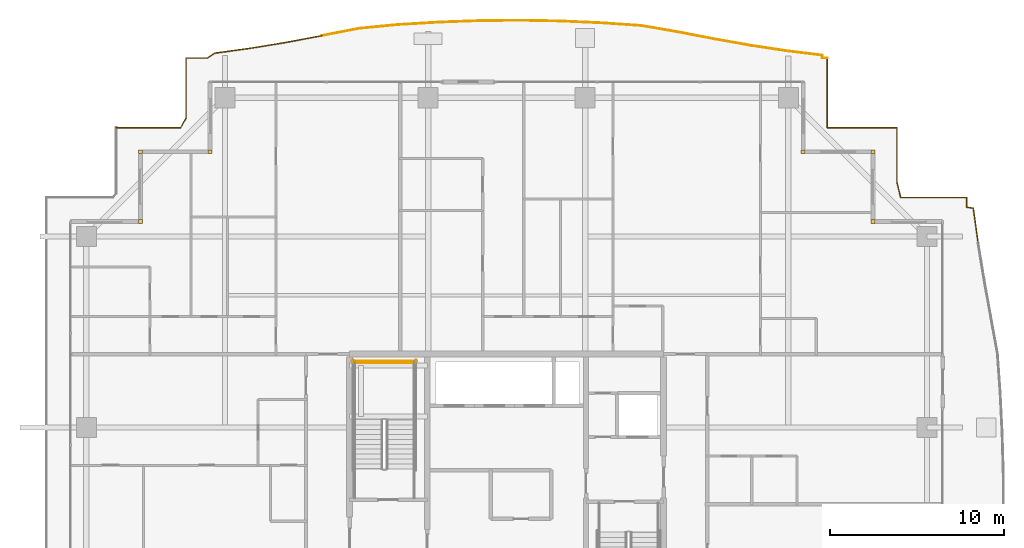
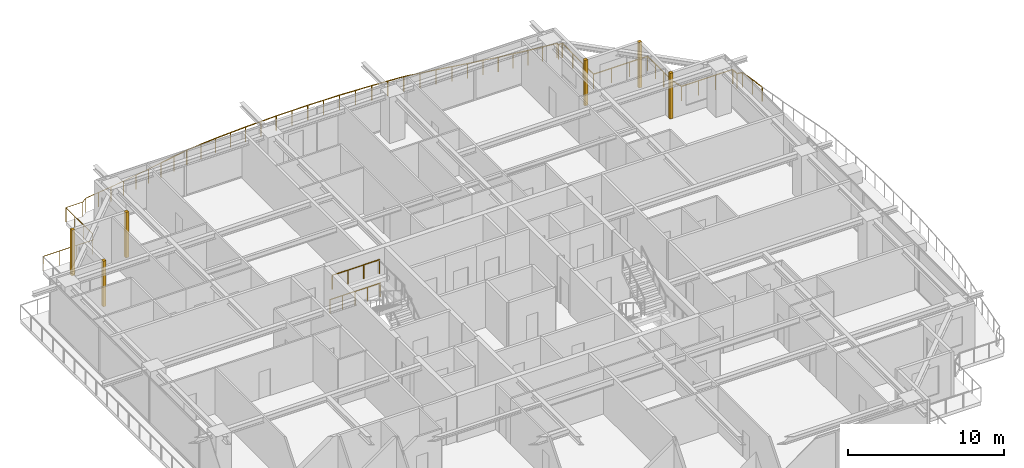
# One storey, part 37 of 37: 6 coverings, 6 railings.
"""IFC4 building model written with IfcOpenShell, lengths in metres."""

from ifc_helpers import new_model, si_unit, direction, frame, origin, origin_2d, place, context, subcontext, project, spatial, rectangle, circle, extrude, source, transform, mapped, material, layer, layer_set, type_object, element, save


model = new_model("IFC4")

# Units and contexts
model_context = context("Model", 3, precision=1e-05, world=origin(), true_north=direction((0.0, 1.0)))
body_context = subcontext(model_context, "Body", "Model", "MODEL_VIEW")
ifc_project = project(units=[si_unit("LENGTHUNIT", "METRE"), si_unit("AREAUNIT", "SQUARE_METRE"), si_unit("VOLUMEUNIT", "CUBIC_METRE"), si_unit("PLANEANGLEUNIT", "RADIAN"), si_unit("MASSUNIT", "GRAM", prefix="KILO")], contexts=[model_context])

# Site, building, storey
site_placement = place(None, origin())
site = spatial("IfcSite", under=ifc_project, at=site_placement, CompositionType="ELEMENT")
building_placement = place(site_placement, origin())
building = spatial("IfcBuilding", under=site, at=building_placement, Name="Serunith Strait Residences", CompositionType="ELEMENT")
storey_placement = place(building_placement, frame((0.0, 0.0, 279.75)))
storey = spatial("IfcBuildingStorey", under=building, at=storey_placement, Name="L70", CompositionType="ELEMENT", Elevation=279.75)

# Railings
ifc_material_1 = material(Name="Stainless Steel & Laminated Glass Balustrade", Category="steel")
railing_type_1 = type_object("IfcRailingType", Name="RLG-BALC-1150", PredefinedType="BALUSTRADE", material=ifc_material_1)
railing_1_placement = place(storey_placement, frame((10.02001953125, 46.580078125, -0.050048828125)))
element("IfcRailing", 1, at=railing_1_placement, inside=storey, type_object=railing_type_1, Name="L70 Swirling Balcony Perimeter Balustrade 1", PredefinedType="BALUSTRADE", context=body_context, shape_type="SweptSolid", body=[
    extrude(circle(Radius=0.02392578125, at=origin_2d()), frame((0.001953125, 0.0, 1.1259765625), z_axis=(1.0, 0.0, 0.0), x_axis=(0.0, 1.0, 0.0)), (0.0, 0.0, 1.0), 3.68115234375),
    extrude(circle(Radius=0.02392578125, at=origin_2d()), frame((3.68603515625, 0.001708984375, 1.1259765625), z_axis=(0.48484493669, 0.874600129983, 0.0), x_axis=(-0.874600129983, 0.48484493669, 0.0)), (0.0, 0.0, 1.0), 0.6455078125),
    extrude(circle(Radius=0.02392578125, at=origin_2d()), frame((4.0, 0.570068359375, 1.1259765625), z_axis=(0.0, 1.0, 0.0), x_axis=(-1.0, 0.0, 0.0)), (0.0, 0.0, 1.0), 3.427978515625),
    extrude(circle(Radius=0.02392578125, at=origin_2d()), frame((4.001953125, 4.0, 1.1259765625), z_axis=(1.0, 0.0, 0.0), x_axis=(0.0, 1.0, 0.0)), (0.0, 0.0, 1.0), 1.2314453125),
    extrude(circle(Radius=0.02392578125, at=origin_2d()), frame((5.237060546875, 4.001220703125, 1.1259765625), z_axis=(0.821810145245, 0.569761428295, 0.0), x_axis=(-0.569761428295, 0.821810145245, 0.0)), (0.0, 0.0, 1.0), 0.479248046875),
    extrude(circle(Radius=0.02392578125, at=origin_2d()), frame((5.634521484375, 4.275634765625, 1.1259765625), z_axis=(0.990752234866, 0.135683488705, 0.0), x_axis=(-0.135683488705, 0.990752234866, 0.0)), (0.0, 0.0, 1.0), 2.0400390625),
    extrude(circle(Radius=0.02392578125, at=origin_2d()), frame((7.65966796875, 4.552978515625, 1.1259765625), z_axis=(0.986720093673, 0.16242985176, 0.0), x_axis=(-0.16242985176, 0.986720093673, 0.0)), (0.0, 0.0, 1.0), 2.067138671875),
    extrude(circle(Radius=0.02392578125, at=origin_2d()), frame((9.703369140625, 4.8896484375, 1.1259765625), z_axis=(0.983077908704, 0.18318795107, 0.0), x_axis=(-0.18318795107, 0.983077908704, 0.0)), (0.0, 0.0, 1.0), 2.1123046875),
    extrude(circle(Radius=0.02099609375, at=origin_2d()), origin(), (0.0, 0.0, 1.0), 1.099853515625),
    extrude(circle(Radius=0.02099609375, at=origin_2d()), frame((1.228271484375, 0.0, 0.0)), (0.0, 0.0, 1.0), 1.099853515625),
    extrude(circle(Radius=0.02099609375, at=origin_2d()), frame((2.456787109375, 0.0, 0.0)), (0.0, 0.0, 1.0), 1.099853515625),
    extrude(circle(Radius=0.02099609375, at=origin_2d()), frame((3.68505859375, 0.0, 0.0)), (0.0, 0.0, 1.0), 1.099853515625),
    extrude(circle(Radius=0.02099609375, at=origin_2d()), frame((4.0, 0.568115234375, 0.0)), (0.0, 0.0, 1.0), 1.099853515625),
    extrude(circle(Radius=0.02099609375, at=origin_2d()), frame((4.0, 1.712158203125, 0.0)), (0.0, 0.0, 1.0), 1.099853515625),
    extrude(circle(Radius=0.02099609375, at=origin_2d()), frame((4.0, 2.85595703125, 0.0)), (0.0, 0.0, 1.0), 1.099853515625),
    extrude(circle(Radius=0.02099609375, at=origin_2d()), frame((4.0, 4.0, 0.0)), (0.0, 0.0, 1.0), 1.099853515625),
    extrude(circle(Radius=0.02099609375, at=origin_2d()), frame((5.2353515625, 4.0, 0.0)), (0.0, 0.0, 1.0), 1.099853515625),
    extrude(circle(Radius=0.02099609375, at=origin_2d()), frame((5.632568359375, 4.275390625, 0.0)), (0.0, 0.0, 1.0), 1.099853515625),
    extrude(circle(Radius=0.02099609375, at=origin_2d()), frame((6.64501953125, 4.4140625, 0.0)), (0.0, 0.0, 1.0), 1.099853515625),
    extrude(circle(Radius=0.02099609375, at=origin_2d()), frame((7.65771484375, 4.552734375, 0.0)), (0.0, 0.0, 1.0), 1.099853515625),
    extrude(circle(Radius=0.02099609375, at=origin_2d()), frame((8.6796875, 4.720947265625, 0.0)), (0.0, 0.0, 1.0), 1.099853515625),
    extrude(circle(Radius=0.02099609375, at=origin_2d()), frame((9.701416015625, 4.88916015625, 0.0)), (0.0, 0.0, 1.0), 1.099853515625),
    extrude(circle(Radius=0.02099609375, at=origin_2d()), frame((10.74169921875, 5.0830078125, 0.0)), (0.0, 0.0, 1.0), 1.099853515625),
    extrude(circle(Radius=0.02099609375, at=origin_2d()), frame((11.781982421875, 5.27685546875, 0.0)), (0.0, 0.0, 1.0), 1.099853515625),
])
railing_2_placement = place(storey_placement, frame((21.802001953125, 51.85693359375, -0.050048828125)))
element("IfcRailing", 2, at=railing_2_placement, inside=storey, type_object=railing_type_1, Name="L70 Swirling Balcony Perimeter Balustrade 2", PredefinedType="BALUSTRADE", context=body_context, shape_type="SweptSolid", body=[
    extrude(circle(Radius=0.02392578125, at=origin_2d()), frame((0.001953125, 0.00048828125, 1.1259765625), z_axis=(0.981673104099, 0.190572602143, 0.0), x_axis=(-0.190572602143, 0.981673104099, 0.0)), (0.0, 0.0, 1.0), 2.173828125),
    extrude(circle(Radius=0.02392578125, at=origin_2d()), frame((2.139892578125, 0.415283203125, 1.1259765625), z_axis=(0.995446881559, 0.095317920635, 0.0), x_axis=(-0.095317920635, 0.995446881559, 0.0)), (0.0, 0.0, 1.0), 2.26025390625),
    extrude(circle(Radius=0.02392578125, at=origin_2d()), frame((4.393798828125, 0.630859375, 1.1259765625), z_axis=(0.998215463926, 0.059715053209, 0.0), x_axis=(-0.059715053209, 0.998215463926, 0.0)), (0.0, 0.0, 1.0), 2.3017578125),
    extrude(circle(Radius=0.02392578125, at=origin_2d()), frame((6.695556640625, 0.7685546875, 1.1259765625), z_axis=(0.999338736658, 0.036360547512, 0.0), x_axis=(-0.036360547512, 0.999338736658, 0.0)), (0.0, 0.0, 1.0), 2.325927734375),
    extrude(circle(Radius=0.02392578125, at=origin_2d()), frame((9.02392578125, 0.853271484375, 1.1259765625), z_axis=(0.999953968024, 0.009594885801, 0.0), x_axis=(-0.009594885801, 0.999953968024, 0.0)), (0.0, 0.0, 1.0), 2.3369140625),
    extrude(circle(Radius=0.02392578125, at=origin_2d()), frame((11.36474609375, 0.875732421875, 1.1259765625), z_axis=(0.999832986935, -0.018275618625, 0.0), x_axis=(0.018275618625, 0.999832986935, 0.0)), (0.0, 0.0, 1.0), 2.333740234375),
    extrude(circle(Radius=0.02392578125, at=origin_2d()), frame((13.7021484375, 0.8330078125, 1.1259765625), z_axis=(0.998999756022, -0.04471562889, 0.0), x_axis=(0.04471562889, 0.998999756022, 0.0)), (0.0, 0.0, 1.0), 2.31640625),
    extrude(circle(Radius=0.02392578125, at=origin_2d()), frame((16.020263671875, 0.72900390625, 1.1259765625), z_axis=(0.997715305474, -0.067558635445, 0.0), x_axis=(0.067558635445, 0.997715305474, 0.0)), (0.0, 0.0, 1.0), 2.287109375),
    extrude(circle(Radius=0.02099609375, at=origin_2d()), origin(), (0.0, 0.0, 1.0), 1.099853515625),
    extrude(circle(Radius=0.02099609375, at=origin_2d()), frame((1.06884765625, 0.20751953125, 0.0)), (0.0, 0.0, 1.0), 1.099853515625),
    extrude(circle(Radius=0.02099609375, at=origin_2d()), frame((2.137939453125, 0.4150390625, 0.0)), (0.0, 0.0, 1.0), 1.099853515625),
    extrude(circle(Radius=0.02099609375, at=origin_2d()), frame((3.264892578125, 0.52294921875, 0.0)), (0.0, 0.0, 1.0), 1.099853515625),
    extrude(circle(Radius=0.02099609375, at=origin_2d()), frame((4.391845703125, 0.630859375, 0.0)), (0.0, 0.0, 1.0), 1.099853515625),
    extrude(circle(Radius=0.02099609375, at=origin_2d()), frame((5.542724609375, 0.69970703125, 0.0)), (0.0, 0.0, 1.0), 1.099853515625),
    extrude(circle(Radius=0.02099609375, at=origin_2d()), frame((6.693603515625, 0.7685546875, 0.0)), (0.0, 0.0, 1.0), 1.099853515625),
    extrude(circle(Radius=0.02099609375, at=origin_2d()), frame((7.85791015625, 0.81103515625, 0.0)), (0.0, 0.0, 1.0), 1.099853515625),
    extrude(circle(Radius=0.02099609375, at=origin_2d()), frame((9.02197265625, 0.853271484375, 0.0)), (0.0, 0.0, 1.0), 1.099853515625),
    extrude(circle(Radius=0.02099609375, at=origin_2d()), frame((10.1923828125, 0.864501953125, 0.0)), (0.0, 0.0, 1.0), 1.099853515625),
    extrude(circle(Radius=0.02099609375, at=origin_2d()), frame((11.36279296875, 0.875732421875, 0.0)), (0.0, 0.0, 1.0), 1.099853515625),
    extrude(circle(Radius=0.02099609375, at=origin_2d()), frame((12.531494140625, 0.8544921875, 0.0)), (0.0, 0.0, 1.0), 1.099853515625),
    extrude(circle(Radius=0.02099609375, at=origin_2d()), frame((13.7001953125, 0.8330078125, 0.0)), (0.0, 0.0, 1.0), 1.099853515625),
    extrude(circle(Radius=0.02099609375, at=origin_2d()), frame((14.859375, 0.78125, 0.0)), (0.0, 0.0, 1.0), 1.099853515625),
    extrude(circle(Radius=0.02099609375, at=origin_2d()), frame((16.018310546875, 0.729248046875, 0.0)), (0.0, 0.0, 1.0), 1.099853515625),
    extrude(circle(Radius=0.02099609375, at=origin_2d()), frame((17.1611328125, 0.65185546875, 0.0)), (0.0, 0.0, 1.0), 1.099853515625),
    extrude(circle(Radius=0.02099609375, at=origin_2d()), frame((18.30419921875, 0.574462890625, 0.0)), (0.0, 0.0, 1.0), 1.099853515625),
])
railing_3_placement = place(storey_placement, frame((40.106201171875, 52.431396484375, -0.050048828125)))
element("IfcRailing", 3, at=railing_3_placement, inside=storey, type_object=railing_type_1, Name="L70 Swirling Balcony Perimeter Balustrade 3", PredefinedType="BALUSTRADE", context=body_context, shape_type="SweptSolid", body=[
    extrude(circle(Radius=0.02392578125, at=origin_2d()), frame((0.001953125, -0.000244140625, 1.1259765625), z_axis=(0.985526989207, -0.169518593504, 0.0), x_axis=(0.169518593504, 0.985526989207, 0.0)), (0.0, 0.0, 1.0), 2.206787109375),
    extrude(circle(Radius=0.02392578125, at=origin_2d()), frame((2.1806640625, -0.375244140625, 1.1259765625), z_axis=(0.98184983272, -0.189659974661, 0.0), x_axis=(0.189659974661, 0.98184983272, 0.0)), (0.0, 0.0, 1.0), 2.135498046875),
    extrude(circle(Radius=0.02392578125, at=origin_2d()), frame((4.28125, -0.78076171875, 1.1259765625), z_axis=(0.98470334817, -0.174239249605, 0.0), x_axis=(0.174239249605, 0.98470334817, 0.0)), (0.0, 0.0, 1.0), 2.082275390625),
    extrude(circle(Radius=0.02392578125, at=origin_2d()), frame((6.335693359375, -1.144287109375, 1.1259765625), z_axis=(0.988784833461, -0.14934708942, 0.0), x_axis=(0.14934708942, 0.988784833461, 0.0)), (0.0, 0.0, 1.0), 2.047607421875),
    extrude(circle(Radius=0.02392578125, at=origin_2d()), frame((8.3642578125, -1.45068359375, 1.1259765625), z_axis=(0.992572485467, -0.121654679707, 0.0), x_axis=(0.121654679707, 0.992572485467, 0.0)), (0.0, 0.0, 1.0), 2.02880859375),
    extrude(circle(Radius=0.02392578125, at=origin_2d()), frame((10.380126953125, -1.69970703125, 1.1259765625), z_axis=(-0.007948874461, -0.999968407198, 0.0), x_axis=(0.999968407198, -0.007948874461, 0.0)), (0.0, 0.0, 1.0), 0.149658203125),
    extrude(circle(Radius=0.02392578125, at=origin_2d()), frame((10.380859375, -1.851318359375, 1.1259765625), z_axis=(1.0, 0.0, 0.0), x_axis=(0.0, 1.0, 0.0)), (0.0, 0.0, 1.0), 0.291015625),
    extrude(circle(Radius=0.02099609375, at=origin_2d()), origin(), (0.0, 0.0, 1.0), 1.099853515625),
    extrude(circle(Radius=0.02099609375, at=origin_2d()), frame((1.08935546875, -0.1875, 0.0)), (0.0, 0.0, 1.0), 1.099853515625),
    extrude(circle(Radius=0.02099609375, at=origin_2d()), frame((2.1787109375, -0.374755859375, 0.0)), (0.0, 0.0, 1.0), 1.099853515625),
    extrude(circle(Radius=0.02099609375, at=origin_2d()), frame((3.22900390625, -0.57763671875, 0.0)), (0.0, 0.0, 1.0), 1.099853515625),
    extrude(circle(Radius=0.02099609375, at=origin_2d()), frame((4.279296875, -0.780517578125, 0.0)), (0.0, 0.0, 1.0), 1.099853515625),
    extrude(circle(Radius=0.02099609375, at=origin_2d()), frame((5.306640625, -0.96240234375, 0.0)), (0.0, 0.0, 1.0), 1.099853515625),
    extrude(circle(Radius=0.02099609375, at=origin_2d()), frame((6.333740234375, -1.14404296875, 0.0)), (0.0, 0.0, 1.0), 1.099853515625),
    extrude(circle(Radius=0.02099609375, at=origin_2d()), frame((7.34814453125, -1.29736328125, 0.0)), (0.0, 0.0, 1.0), 1.099853515625),
    extrude(circle(Radius=0.02099609375, at=origin_2d()), frame((8.3623046875, -1.450439453125, 0.0)), (0.0, 0.0, 1.0), 1.099853515625),
    extrude(circle(Radius=0.02099609375, at=origin_2d()), frame((9.37109375, -1.57421875, 0.0)), (0.0, 0.0, 1.0), 1.099853515625),
    extrude(circle(Radius=0.02099609375, at=origin_2d()), frame((10.380126953125, -1.69775390625, 0.0)), (0.0, 0.0, 1.0), 1.099853515625),
    extrude(circle(Radius=0.02099609375, at=origin_2d()), frame((10.37890625, -1.851318359375, 0.0)), (0.0, 0.0, 1.0), 1.099853515625),
    extrude(circle(Radius=0.02099609375, at=origin_2d()), frame((10.673828125, -1.851318359375, 0.0)), (0.0, 0.0, 1.0), 1.099853515625),
])
railing_4_placement = place(storey_placement, frame((50.780029296875, 50.580078125, -0.050048828125)))
element("IfcRailing", 4, at=railing_4_placement, inside=storey, type_object=railing_type_1, Name="L70 Swirling Balcony Perimeter Balustrade 4", PredefinedType="BALUSTRADE", context=body_context, shape_type="SweptSolid", body=[
    extrude(circle(Radius=0.02392578125, at=origin_2d()), frame((0.0, -0.001953125, 1.1259765625), z_axis=(0.0, -1.0, 0.0), x_axis=(1.0, 0.0, 0.0)), (0.0, 0.0, 1.0), 3.99609375),
    extrude(circle(Radius=0.02392578125, at=origin_2d()), frame((0.001953125, -4.0, 1.1259765625), z_axis=(1.0, 0.0, 0.0), x_axis=(0.0, 1.0, 0.0)), (0.0, 0.0, 1.0), 3.99609375),
    extrude(circle(Radius=0.02392578125, at=origin_2d()), frame((4.0, -4.001953125, 1.1259765625), z_axis=(0.0, -1.0, 0.0), x_axis=(1.0, 0.0, 0.0)), (0.0, 0.0, 1.0), 3.12646484375),
    extrude(circle(Radius=0.02392578125, at=origin_2d()), frame((4.00048828125, -7.13232421875, 1.1259765625), z_axis=(0.237270083981, -0.97144372315, 0.0), x_axis=(0.97144372315, 0.237270083981, 0.0)), (0.0, 0.0, 1.0), 0.89111328125),
    extrude(circle(Radius=0.02392578125, at=origin_2d()), frame((4.21435546875, -8.0, 1.1259765625), z_axis=(1.0, 0.0, 0.0), x_axis=(0.0, 1.0, 0.0)), (0.0, 0.0, 1.0), 3.78369140625),
    extrude(circle(Radius=0.02392578125, at=origin_2d()), frame((8.0, -8.001953125, 1.1259765625), z_axis=(0.0, -1.0, 0.0), x_axis=(1.0, 0.0, 0.0)), (0.0, 0.0, 1.0), 0.5458984375),
    extrude(circle(Radius=0.02392578125, at=origin_2d()), frame((8.001953125, -8.550048828125, 1.1259765625), z_axis=(0.986010078263, -0.166685708939, 0.0), x_axis=(0.166685708939, 0.986010078263, 0.0)), (0.0, 0.0, 1.0), 0.376708984375),
    extrude(circle(Radius=0.02392578125, at=origin_2d()), frame((8.375732421875, -8.615234375, 1.1259765625), z_axis=(0.138253076866, -0.99039693393, 0.0), x_axis=(0.99039693393, 0.138253076866, 0.0)), (0.0, 0.0, 1.0), 2.046142578125),
    extrude(circle(Radius=0.02099609375, at=origin_2d()), origin(), (0.0, 0.0, 1.0), 1.099853515625),
    extrude(circle(Radius=0.02099609375, at=origin_2d()), frame((0.0, -1.333251953125, 0.0)), (0.0, 0.0, 1.0), 1.099853515625),
    extrude(circle(Radius=0.02099609375, at=origin_2d()), frame((0.0, -2.666748046875, 0.0)), (0.0, 0.0, 1.0), 1.099853515625),
    extrude(circle(Radius=0.02099609375, at=origin_2d()), frame((0.0, -4.0, 0.0)), (0.0, 0.0, 1.0), 1.099853515625),
    extrude(circle(Radius=0.02099609375, at=origin_2d()), frame((1.333251953125, -4.0, 0.0)), (0.0, 0.0, 1.0), 1.099853515625),
    extrude(circle(Radius=0.02099609375, at=origin_2d()), frame((2.666748046875, -4.0, 0.0)), (0.0, 0.0, 1.0), 1.099853515625),
    extrude(circle(Radius=0.02099609375, at=origin_2d()), frame((4.0, -4.0, 0.0)), (0.0, 0.0, 1.0), 1.099853515625),
    extrude(circle(Radius=0.02099609375, at=origin_2d()), frame((4.0, -5.04345703125, 0.0)), (0.0, 0.0, 1.0), 1.099853515625),
    extrude(circle(Radius=0.02099609375, at=origin_2d()), frame((4.0, -6.0869140625, 0.0)), (0.0, 0.0, 1.0), 1.099853515625),
    extrude(circle(Radius=0.02099609375, at=origin_2d()), frame((4.0, -7.13037109375, 0.0)), (0.0, 0.0, 1.0), 1.099853515625),
    extrude(circle(Radius=0.02099609375, at=origin_2d()), frame((4.21240234375, -8.0, 0.0)), (0.0, 0.0, 1.0), 1.099853515625),
    extrude(circle(Radius=0.02099609375, at=origin_2d()), frame((5.474853515625, -8.0, 0.0)), (0.0, 0.0, 1.0), 1.099853515625),
    extrude(circle(Radius=0.02099609375, at=origin_2d()), frame((6.737548828125, -8.0, 0.0)), (0.0, 0.0, 1.0), 1.099853515625),
    extrude(circle(Radius=0.02099609375, at=origin_2d()), frame((8.0, -8.0, 0.0)), (0.0, 0.0, 1.0), 1.099853515625),
    extrude(circle(Radius=0.02099609375, at=origin_2d()), frame((8.0, -8.5498046875, 0.0)), (0.0, 0.0, 1.0), 1.099853515625),
    extrude(circle(Radius=0.02099609375, at=origin_2d()), frame((8.37548828125, -8.61328125, 0.0)), (0.0, 0.0, 1.0), 1.099853515625),
    extrude(circle(Radius=0.02099609375, at=origin_2d()), frame((8.51708984375, -9.62841796875, 0.0)), (0.0, 0.0, 1.0), 1.099853515625),
    extrude(circle(Radius=0.02099609375, at=origin_2d()), frame((8.658935546875, -10.643798828125, 0.0)), (0.0, 0.0, 1.0), 1.099853515625),
])
ifc_material_2 = material(Name="Brushed stainless steel 316L", Category="steel")
railing_type_2 = type_object("IfcRailingType", Name="RLG-STAIR-GUARD", PredefinedType="BALUSTRADE", material=ifc_material_2)
railing_5_placement = place(storey_placement, frame((27.14990234375, 33.10009765625, 1.925048828125)))
element("IfcRailing", 5, at=railing_5_placement, inside=storey, type_object=railing_type_2, Name="L70 ST-1 stair guard 5", PredefinedType="BALUSTRADE", context=body_context, shape_type="SweptSolid", body=[
    extrude(circle(Radius=0.02392578125, at=origin_2d()), frame((-0.001953125, 0.0, 1.076171875), z_axis=(-1.0, 0.0, 0.0), x_axis=(0.0, -1.0, 0.0)), (0.0, 0.0, 1.0), 3.49609375),
    extrude(circle(Radius=0.02099609375, at=origin_2d()), origin(), (0.0, 0.0, 1.0), 1.050048828125),
    extrude(circle(Radius=0.02099609375, at=origin_2d()), frame((-1.166748046875, 0.0, 0.0)), (0.0, 0.0, 1.0), 1.050048828125),
    extrude(circle(Radius=0.02099609375, at=origin_2d()), frame((-2.333251953125, 0.0, 0.0)), (0.0, 0.0, 1.0), 1.050048828125),
    extrude(circle(Radius=0.02099609375, at=origin_2d()), frame((-3.5, 0.0, 0.0)), (0.0, 0.0, 1.0), 1.050048828125),
])
railing_6_placement = place(storey_placement, frame((27.25, 33.199951171875, 0.0)))
element("IfcRailing", 6, at=railing_6_placement, inside=storey, type_object=railing_type_2, Name="L70 ST-1 stair guard 12", PredefinedType="BALUSTRADE", context=body_context, shape_type="SweptSolid", body=[
    extrude(circle(Radius=0.02392578125, at=origin_2d()), frame((-0.001953125, 0.0, 1.076171875), z_axis=(-1.0, 0.0, 0.0), x_axis=(0.0, -1.0, 0.0)), (0.0, 0.0, 1.0), 3.696044921875),
    extrude(circle(Radius=0.02099609375, at=origin_2d()), origin(), (0.0, 0.0, 1.0), 1.050048828125),
    extrude(circle(Radius=0.02099609375, at=origin_2d()), frame((-0.925048828125, 0.0, 0.0)), (0.0, 0.0, 1.0), 1.050048828125),
    extrude(circle(Radius=0.02099609375, at=origin_2d()), frame((-1.85009765625, 0.0, 0.0)), (0.0, 0.0, 1.0), 1.050048828125),
    extrude(circle(Radius=0.02099609375, at=origin_2d()), frame((-2.77490234375, 0.0, 0.0)), (0.0, 0.0, 1.0), 1.050048828125),
    extrude(circle(Radius=0.02099609375, at=origin_2d()), frame((-3.699951171875, 0.0, 0.0)), (0.0, 0.0, 1.0), 1.050048828125),
])

# Coverings
ifc_material_3 = material(Name="Pale-Champagne Anodised Aluminium", Category="aluminium")
ifc_layer = layer(ifc_material_3, 0.219970703125, Name="Pale-Champagne Anodised Aluminium")
ifc_layer_set = layer_set([ifc_layer], Name="Pale-Champagne Anodised Aluminium")
covering_type = type_object("IfcCoveringType", Name="COV-CORN-TRIM", PredefinedType="CLADDING", material=ifc_layer_set)
shared_shape = source(origin(), body_context, "Body", "SweptSolid", [
    extrude(rectangle(XDim=0.221923828125, YDim=0.221923828125, at=origin_2d()), origin(), (0.0, 0.0, 1.0), 3.574951171875),
])
for number, where, z_axis, x_axis, name in (
    (7, (53.39990234375, 41.199951171875, 0.0), (0.0, 0.0, 1.0), (1.0, 0.0, 0.0), "L70 Girih Serrated Corner Trim Post 07"),
    (8, (53.39990234375, 45.199951171875, 0.0), (0.0, 0.0, 1.0), (1.0, 0.0, 0.0), "L70 Girih Serrated Corner Trim Post 08"),
    (9, (49.39990234375, 45.199951171875, 0.0), (0.0, 0.0, 1.0), (1.0, 0.0, 0.0), "L70 Girih Serrated Corner Trim Post 09"),
    (10, (15.39990234375, 45.199951171875, 0.0), (0.0, 0.0, 1.0), (1.0, 0.0, 0.0), "L70 Girih Serrated Corner Trim Post 12"),
    (11, (11.39990234375, 45.199951171875, 0.0), (0.0, 0.0, 1.0), (1.0, 0.0, 0.0), "L70 Girih Serrated Corner Trim Post 13"),
    (12, (11.39990234375, 41.199951171875, 0.0), (0.0, 0.0, 1.0), (1.0, 0.0, 0.0), "L70 Girih Serrated Corner Trim Post 14"),
):
    element("IfcCovering", number, at=place(storey_placement, frame(where, z_axis=z_axis, x_axis=x_axis)), inside=storey, type_object=covering_type, Name=name, PredefinedType="CLADDING", context=body_context, shape_type="MappedRepresentation", body=[
        mapped(shared_shape, transform((0.0, 0.0, 0.0), scale=1.0)),
    ])

save(model, "model.ifc")
